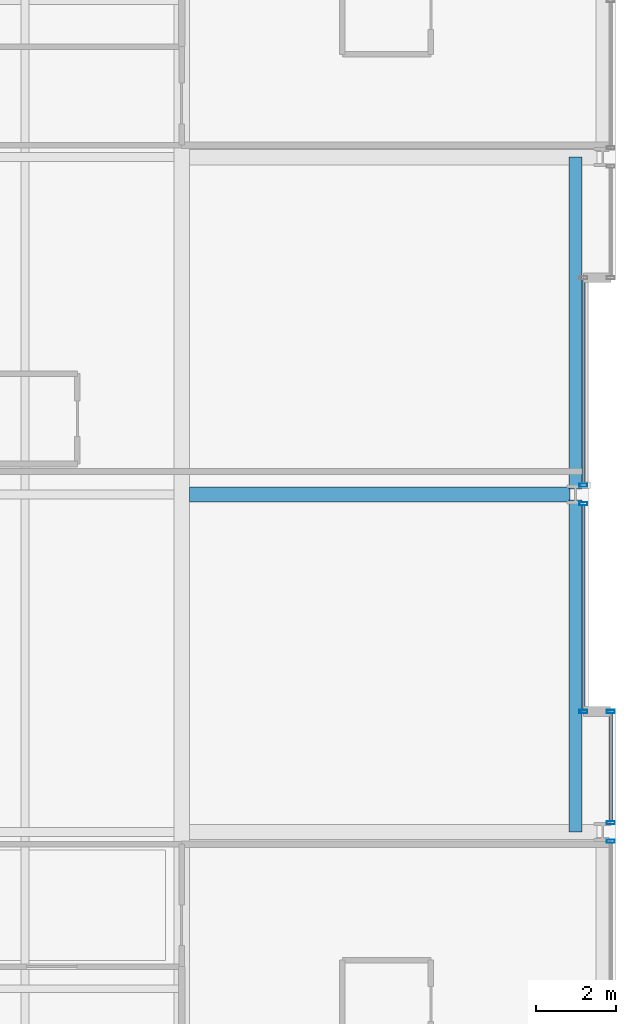
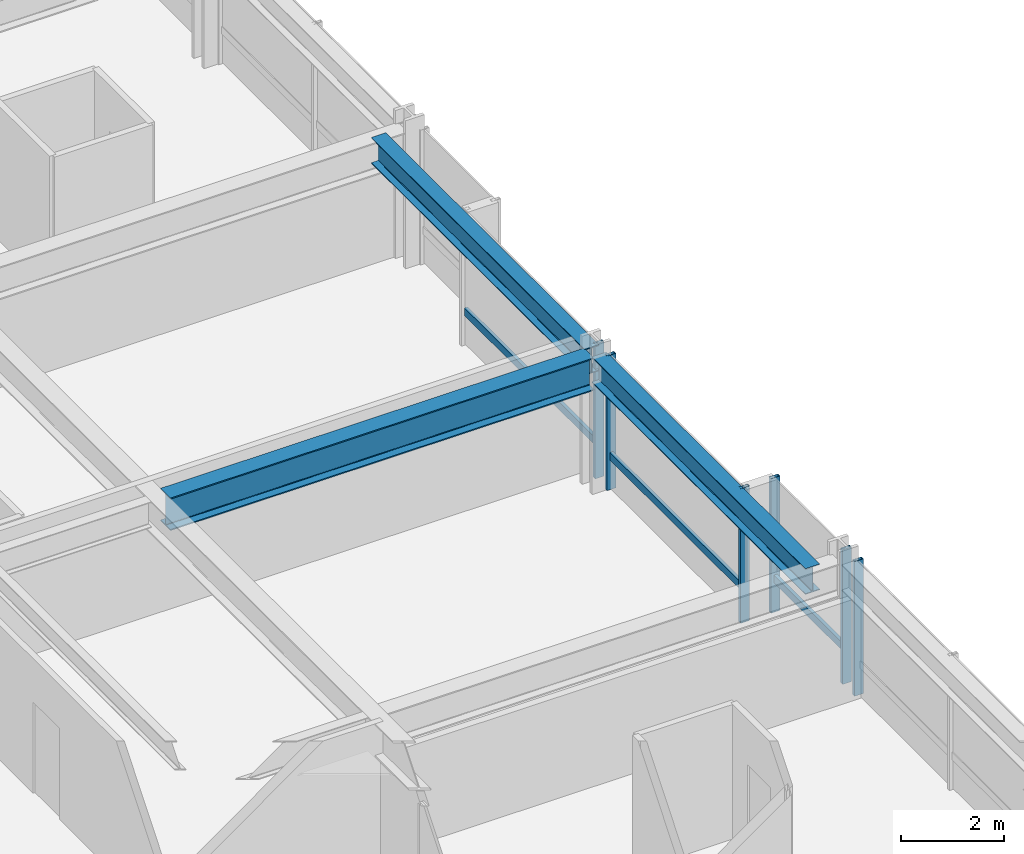
# One storey, part 16 of 37: 9 members, 3 beams, 4 elements without a shape of their own.
"""IFC4 building model written with IfcOpenShell, lengths in metres."""

from ifc_helpers import new_model, si_unit, direction, frame, origin, origin_2d, place, context, subcontext, project, spatial, hollow_rectangle, i_section, extrude, material, layer, layer_set, material_profile, profile_set, type_object, element, aggregate, save


model = new_model("IFC4")

# Units and contexts
model_context = context("Model", 3, precision=1e-05, world=origin(), true_north=direction((0.0, 1.0)))
body_context = subcontext(model_context, "Body", "Model", "MODEL_VIEW")
ifc_project = project(units=[si_unit("LENGTHUNIT", "METRE"), si_unit("AREAUNIT", "SQUARE_METRE"), si_unit("VOLUMEUNIT", "CUBIC_METRE"), si_unit("PLANEANGLEUNIT", "RADIAN"), si_unit("MASSUNIT", "GRAM", prefix="KILO")], contexts=[model_context])

# Site, building, storey
site_placement = place(None, origin())
site = spatial("IfcSite", under=ifc_project, at=site_placement, CompositionType="ELEMENT")
building_placement = place(site_placement, origin())
building = spatial("IfcBuilding", under=site, at=building_placement, Name="Drelvath Grand Hotel", CompositionType="ELEMENT")
storey_placement = place(building_placement, frame((0.0, 0.0, 78.699951171875)))
storey = spatial("IfcBuildingStorey", under=building, at=storey_placement, Name="L19", CompositionType="ELEMENT", Elevation=78.699951171875)

# Curtain wall, member
ifc_material_1 = material(Name="Warm Bronze Anodised Aluminium Frame", Category="aluminium")
ifc_layer = layer(ifc_material_1, 0.199951171875)
ifc_layer_set = layer_set([ifc_layer], Name="Warm Bronze Anodised Aluminium Frame")
curtain_wall_type = type_object("IfcCurtainWallType", Name="Stick Curtain Wall CW-02 Warm Bronze Low-Rise", PredefinedType="NOTDEFINED", material=ifc_layer_set)
curtain_wall_1_placement = place(storey_placement, origin())
curtain_wall_1 = element("IfcCurtainWall", 1, at=curtain_wall_1_placement, inside=storey, type_object=curtain_wall_type, Name="L19 CW-02 Curtain Wall CW02-L19-EM1", PredefinedType="NOTDEFINED")
ifc_material_profile_1 = material_profile(ifc_material_1, hollow_rectangle(XDim=0.074951171875, YDim=0.179931640625, WallThickness=0.0048828125, at=origin_2d()), Name="HSS180X75X5")
ifc_profile_set_1 = profile_set([ifc_material_profile_1], Name="Warm Bronze Anodised Aluminium Frame")
member_type_1 = type_object("IfcMemberType", Name="Curtain Wall Horizontal Transom CW-02 HSS180X75X5", PredefinedType="USERDEFINED", material=ifc_profile_set_1)
member_1_placement = place(storey_placement, frame((26.199951171875, 26.73095703125, 0.795166015625), z_axis=(0.0, -1.0, 0.0), x_axis=(1.0, 0.0, 0.0)))
member_1 = element("IfcMember", 2, at=member_1_placement, type_object=member_type_1, Name="CW02-L19-EM1 Sill Transom", ObjectType="TRANSOM", PredefinedType="USERDEFINED", context=body_context, shape_type="SweptSolid", body=[
    extrude(hollow_rectangle(XDim=0.074951171875, YDim=0.179931640625, WallThickness=0.0048828125, at=origin_2d()), origin(), (0.0, 0.0, 1.0), 5.091064453125),
])

curtain_wall_2_placement = place(storey_placement, origin())
curtain_wall_2 = element("IfcCurtainWall", 3, at=curtain_wall_2_placement, inside=storey, type_object=curtain_wall_type, Name="L19 CW-02 Curtain Wall CW02-L19-EM2", PredefinedType="NOTDEFINED")
member_2_placement = place(storey_placement, frame((26.199951171875, 32.360107421875, 0.795166015625), z_axis=(0.0, -1.0, 0.0), x_axis=(1.0, 0.0, 0.0)))
member_2 = element("IfcMember", 4, at=member_2_placement, type_object=member_type_1, Name="CW02-L19-EM2 Sill Transom", ObjectType="TRANSOM", PredefinedType="USERDEFINED", context=body_context, shape_type="SweptSolid", body=[
    extrude(hollow_rectangle(XDim=0.074951171875, YDim=0.179931640625, WallThickness=0.0048828125, at=origin_2d()), origin(), (0.0, 0.0, 1.0), 5.091064453125),
])

curtain_wall_3_placement = place(storey_placement, origin())
curtain_wall_3 = element("IfcCurtainWall", 5, at=curtain_wall_3_placement, inside=storey, type_object=curtain_wall_type, Name="L19 CW-02 Curtain Wall CW02-L19-ES3", PredefinedType="NOTDEFINED")
member_3_placement = place(storey_placement, frame((26.8798828125, 21.56005859375, 0.795166015625), z_axis=(0.0, -1.0, 0.0), x_axis=(1.0, 0.0, 0.0)))
member_3 = element("IfcMember", 6, at=member_3_placement, type_object=member_type_1, Name="CW02-L19-ES3 Sill Transom", ObjectType="TRANSOM", PredefinedType="USERDEFINED", context=body_context, shape_type="SweptSolid", body=[
    extrude(hollow_rectangle(XDim=0.074951171875, YDim=0.179931640625, WallThickness=0.0048828125, at=origin_2d()), origin(), (0.0, 0.0, 1.0), 2.69091796875),
])

# Member
ifc_material_profile_2 = material_profile(ifc_material_1, hollow_rectangle(XDim=0.080078125, YDim=0.199951171875, WallThickness=0.0048828125, at=origin_2d()), Name="HSS200X80X5")
ifc_profile_set_2 = profile_set([ifc_material_profile_2], Name="Warm Bronze Anodised Aluminium Frame")
member_type_2 = type_object("IfcMemberType", Name="Curtain Wall Vertical Mullion CW-02 HSS200X80X5", PredefinedType="MULLION", material=ifc_profile_set_2)
member_4_placement = place(storey_placement, frame((26.199951171875, 26.77099609375, 0.0), z_axis=(0.0, 0.0, 1.0), x_axis=(0.0, 1.0, 0.0)))
member_4 = element("IfcMember", 7, at=member_4_placement, type_object=member_type_2, Name="CW02-L19-EM1 Mullion 1", PredefinedType="MULLION", context=body_context, shape_type="SweptSolid", body=[
    extrude(hollow_rectangle(XDim=0.080078125, YDim=0.199951171875, WallThickness=0.0048828125, at=origin_2d()), origin(), (0.0, 0.0, 1.0), 3.179931640625),
])

member_5_placement = place(storey_placement, frame((26.199951171875, 21.60009765625, 0.0), z_axis=(0.0, 0.0, 1.0), x_axis=(0.0, 1.0, 0.0)))
member_5 = element("IfcMember", 8, at=member_5_placement, type_object=member_type_2, Name="CW02-L19-EM1 Mullion 2", PredefinedType="MULLION", context=body_context, shape_type="SweptSolid", body=[
    extrude(hollow_rectangle(XDim=0.080078125, YDim=0.199951171875, WallThickness=0.0048828125, at=origin_2d()), origin(), (0.0, 0.0, 1.0), 3.179931640625),
])

aggregate(curtain_wall_1, [member_4, member_5, member_1])

member_6_placement = place(storey_placement, frame((26.199951171875, 27.22900390625, 0.0), z_axis=(0.0, 0.0, 1.0), x_axis=(0.0, 1.0, 0.0)))
member_6 = element("IfcMember", 9, at=member_6_placement, type_object=member_type_2, Name="CW02-L19-EM2 Mullion 2", PredefinedType="MULLION", context=body_context, shape_type="SweptSolid", body=[
    extrude(hollow_rectangle(XDim=0.080078125, YDim=0.199951171875, WallThickness=0.0048828125, at=origin_2d()), origin(), (0.0, 0.0, 1.0), 3.179931640625),
])

aggregate(curtain_wall_2, [member_6, member_2])

# Curtain wall, member
curtain_wall_4_placement = place(storey_placement, origin())
curtain_wall_4 = element("IfcCurtainWall", 10, at=curtain_wall_4_placement, inside=storey, type_object=curtain_wall_type, Name="L19 CW-02 Curtain Wall CW02-L19-ES2", PredefinedType="NOTDEFINED")
member_7_placement = place(storey_placement, frame((26.8798828125, 18.370849609375, 0.0), z_axis=(0.0, 0.0, 1.0), x_axis=(0.0, 1.0, 0.0)))
member_7 = element("IfcMember", 11, at=member_7_placement, type_object=member_type_2, Name="CW02-L19-ES2 Mullion 1", PredefinedType="MULLION", context=body_context, shape_type="SweptSolid", body=[
    extrude(hollow_rectangle(XDim=0.080078125, YDim=0.199951171875, WallThickness=0.0048828125, at=origin_2d()), origin(), (0.0, 0.0, 1.0), 3.179931640625),
])
aggregate(curtain_wall_4, [member_7])

# Member
member_8_placement = place(storey_placement, frame((26.8798828125, 21.60009765625, 0.0), z_axis=(0.0, 0.0, 1.0), x_axis=(0.0, 1.0, 0.0)))
member_8 = element("IfcMember", 12, at=member_8_placement, type_object=member_type_2, Name="CW02-L19-ES3 Mullion 1", PredefinedType="MULLION", context=body_context, shape_type="SweptSolid", body=[
    extrude(hollow_rectangle(XDim=0.080078125, YDim=0.199951171875, WallThickness=0.0048828125, at=origin_2d()), origin(), (0.0, 0.0, 1.0), 3.179931640625),
])

member_9_placement = place(storey_placement, frame((26.8798828125, 18.8291015625, 0.0), z_axis=(0.0, 0.0, 1.0), x_axis=(0.0, 1.0, 0.0)))
member_9 = element("IfcMember", 13, at=member_9_placement, type_object=member_type_2, Name="CW02-L19-ES3 Mullion 2", PredefinedType="MULLION", context=body_context, shape_type="SweptSolid", body=[
    extrude(hollow_rectangle(XDim=0.080078125, YDim=0.199951171875, WallThickness=0.0048828125, at=origin_2d()), origin(), (0.0, 0.0, 1.0), 3.179931640625),
])

aggregate(curtain_wall_3, [member_8, member_9, member_3])

# Beams
ifc_material_2 = material(Name="Steel ASTM A992 Gr 50", Category="steel")
ifc_material_profile_3 = material_profile(ifc_material_2, i_section(OverallWidth=0.323974609375, OverallDepth=0.611083984375, WebThickness=0.0126953125, FlangeThickness=0.01904296875, FilletRadius=0.02197265625, at=origin_2d()), Name="W24X104")
ifc_profile_set_3 = profile_set([ifc_material_profile_3], Name="Steel ASTM A992 Gr 50")
beam_type_1 = type_object("IfcBeamType", Name="Perimeter Spandrel Beam W24X104", PredefinedType="SPANDREL", material=ifc_profile_set_3)
for number, where, z_axis, x_axis, name in (
    (14, (26.0, 18.60009765625, 2.87451171875), (0.0, 1.0, 0.0), (-1.0, 0.0, 0.0), "L19 Spandrel East Mid S"),
    (15, (26.0, 27.139892578125, 2.87451171875), (0.0, 1.0, 0.0), (-1.0, 0.0, 0.0), "L19 Spandrel East Mid N"),
):
    element("IfcBeam", number, at=place(storey_placement, frame(where, z_axis=z_axis, x_axis=x_axis)), inside=storey, type_object=beam_type_1, Name=name, PredefinedType="SPANDREL", context=body_context, shape_type="SweptSolid", body=[
        extrude(i_section(OverallWidth=0.323974609375, OverallDepth=0.611083984375, WebThickness=0.0126953125, FlangeThickness=0.01904296875, FilletRadius=0.02197265625, at=origin_2d()), origin(), (0.0, 0.0, 1.0), 8.260009765625),
    ])
ifc_material_profile_4 = material_profile(ifc_material_2, i_section(OverallWidth=0.380615234375, OverallDepth=0.773193359375, WebThickness=0.0166015625, FlangeThickness=0.027099609375, FilletRadius=0.02490234375, at=origin_2d()), Name="W30X173")
ifc_profile_set_4 = profile_set([ifc_material_profile_4], Name="Steel ASTM A992 Gr 50")
beam_type_2 = type_object("IfcBeamType", Name="Primary Floor Girder W30X173", PredefinedType="BEAM", material=ifc_profile_set_4)
beam_placement = place(storey_placement, frame((16.390380859375, 27.0, 2.79345703125), z_axis=(1.0, 0.0, 0.0), x_axis=(0.0, 1.0, 0.0)))
element("IfcBeam", 16, at=beam_placement, inside=storey, type_object=beam_type_2, Name="L19 East Wing Girder E", PredefinedType="BEAM", context=body_context, shape_type="SweptSolid", body=[
    extrude(i_section(OverallWidth=0.380615234375, OverallDepth=0.773193359375, WebThickness=0.0166015625, FlangeThickness=0.027099609375, FilletRadius=0.02490234375, at=origin_2d()), origin(), (0.0, 0.0, 1.0), 9.4697265625),
])

save(model, "model.ifc")
